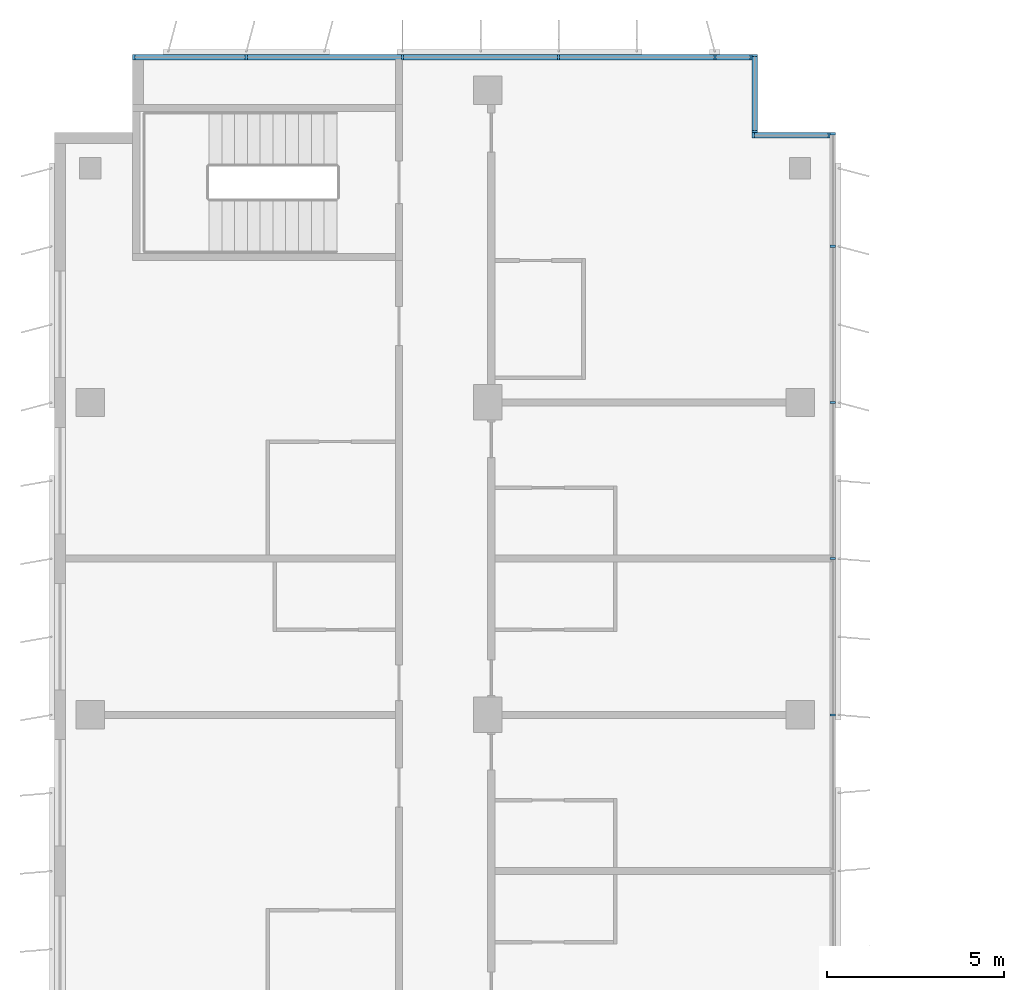
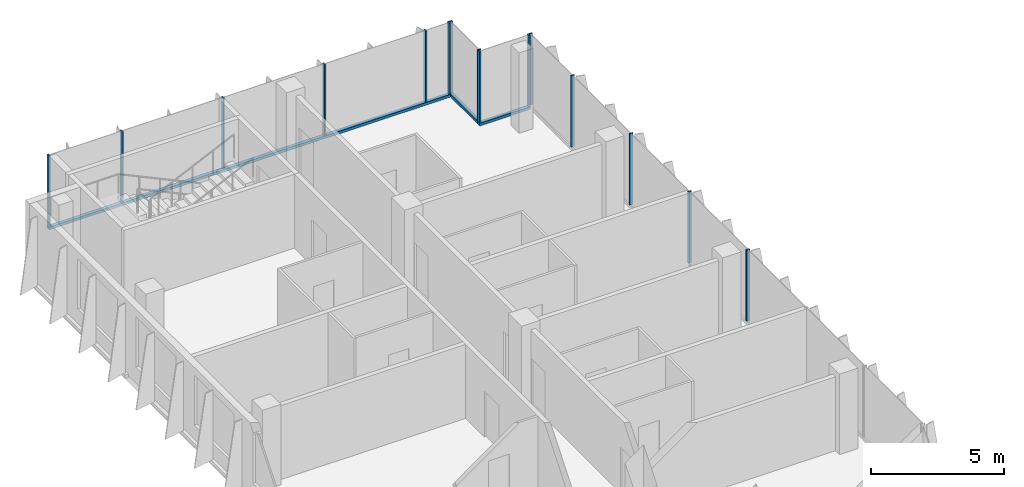
# One storey, part 6 of 17: 18 members, 4 elements without a shape of their own.
"""IFC4 building model written with IfcOpenShell, lengths in metres."""

from ifc_helpers import new_model, si_unit, direction, frame, origin, origin_2d, place, context, subcontext, project, spatial, rectangle, extrude, source, transform, mapped, material, material_profile, profile_set, type_object, element, aggregate, save


model = new_model("IFC4")

# Units and contexts
model_context = context("Model", 3, precision=1e-05, world=origin(), true_north=direction((0.0, 1.0)))
body_context = subcontext(model_context, "Body", "Model", "MODEL_VIEW")
ifc_project = project(units=[si_unit("LENGTHUNIT", "METRE"), si_unit("AREAUNIT", "SQUARE_METRE"), si_unit("VOLUMEUNIT", "CUBIC_METRE"), si_unit("PLANEANGLEUNIT", "RADIAN"), si_unit("MASSUNIT", "GRAM", prefix="KILO")], contexts=[model_context])

# Site, building, storey
site_placement = place(None, origin())
site = spatial("IfcSite", under=ifc_project, at=site_placement, CompositionType="ELEMENT")
building_placement = place(site_placement, origin())
building = spatial("IfcBuilding", under=site, at=building_placement, Name="Kemantara Hotel Tower", CompositionType="ELEMENT")
storey_placement = place(building_placement, frame((0.0, 0.0, 226.5)))
storey = spatial("IfcBuildingStorey", under=building, at=storey_placement, Name="L56", CompositionType="ELEMENT", Elevation=226.5)

# Curtain wall, member
ifc_material_1 = material(Name="Low-E tinted double insulated glass 36 mm", Category="glass")
curtain_wall_type = type_object("IfcCurtainWallType", Name="TOWER CURTAIN WALL, FRONT FACES", PredefinedType="USERDEFINED", material=ifc_material_1)
curtain_wall_1_placement = place(storey_placement, origin())
curtain_wall_1 = element("IfcCurtainWall", 1, at=curtain_wall_1_placement, inside=storey, type_object=curtain_wall_type, Name="CW4 L56 T4-R02-1", ObjectType="TOWER CURTAIN WALL, FRONT FACES", PredefinedType="USERDEFINED")
ifc_material_2 = material(Name="Aluminium 6063-T6 bronze anodised", Category="aluminium")
ifc_material_profile_1 = material_profile(ifc_material_2, rectangle(XDim=0.14990234375, YDim=0.1201171875, at=origin_2d()), Name="TOWER CURTAIN WALL, FRONT FACES TRANSOM")
ifc_profile_set_1 = profile_set([ifc_material_profile_1], Name="Aluminium 6063-T6 bronze anodised")
member_type_1 = type_object("IfcMemberType", Name="TOWER CURTAIN WALL, FRONT FACES TRANSOM", PredefinedType="USERDEFINED", material=ifc_profile_set_1)
member_1_placement = place(storey_placement, frame((19.64990234375, 63.52490234375, 0.06005859375), z_axis=(-1.0, 0.0, 0.0), x_axis=(0.0, -1.0, 0.0)))
member_1 = element("IfcMember", 2, at=member_1_placement, type_object=member_type_1, Name="CW4 sill transom T4-R02-1", ObjectType="TRANSOM", PredefinedType="USERDEFINED", context=body_context, shape_type="SweptSolid", body=[
    extrude(rectangle(XDim=0.14990234375, YDim=0.1201171875, at=origin_2d()), origin(), (0.0, 0.0, 1.0), 17.449951171875),
])

curtain_wall_2_placement = place(storey_placement, origin())
curtain_wall_2 = element("IfcCurtainWall", 3, at=curtain_wall_2_placement, inside=storey, type_object=curtain_wall_type, Name="CW4 L56 T4-R00-1", ObjectType="TOWER CURTAIN WALL, FRONT FACES", PredefinedType="USERDEFINED")
member_2_placement = place(storey_placement, frame((21.85009765625, 61.324951171875, 0.06005859375), z_axis=(-1.0, 0.0, 0.0), x_axis=(0.0, -1.0, 0.0)))
member_2 = element("IfcMember", 4, at=member_2_placement, type_object=member_type_1, Name="CW4 sill transom T4-R00-1", ObjectType="TRANSOM", PredefinedType="USERDEFINED", context=body_context, shape_type="SweptSolid", body=[
    extrude(rectangle(XDim=0.14990234375, YDim=0.1201171875, at=origin_2d()), origin(), (0.0, 0.0, 1.0), 2.2001953125),
])

curtain_wall_3_placement = place(storey_placement, origin())
curtain_wall_3 = element("IfcCurtainWall", 5, at=curtain_wall_3_placement, inside=storey, type_object=curtain_wall_type, Name="CW4 L56 T4-R01-1", ObjectType="TOWER CURTAIN WALL, FRONT FACES", PredefinedType="USERDEFINED")
member_3_placement = place(storey_placement, frame((19.72509765625, 61.39990234375, 0.06005859375), z_axis=(0.0, 1.0, 0.0), x_axis=(-1.0, 0.0, 0.0)))
member_3 = element("IfcMember", 6, at=member_3_placement, type_object=member_type_1, Name="CW4 sill transom T4-R01-1", ObjectType="TRANSOM", PredefinedType="USERDEFINED", context=body_context, shape_type="SweptSolid", body=[
    extrude(rectangle(XDim=0.14990234375, YDim=0.1201171875, at=origin_2d()), origin(), (0.0, 0.0, 1.0), 2.2001953125),
])

# Member
ifc_material_profile_2 = material_profile(ifc_material_2, rectangle(XDim=0.14990234375, YDim=0.06005859375, at=origin_2d()), Name="TOWER CURTAIN WALL, FRONT FACES MULLION")
ifc_profile_set_2 = profile_set([ifc_material_profile_2], Name="Aluminium 6063-T6 bronze anodised")
member_type_2 = type_object("IfcMemberType", Name="TOWER CURTAIN WALL, FRONT FACES MULLION", PredefinedType="MULLION", material=ifc_profile_set_2)
shared_shape = source(origin(), body_context, "Body", "SweptSolid", [
    extrude(rectangle(XDim=0.14990234375, YDim=0.06005859375, at=origin_2d()), origin(), (0.0, 0.0, 1.0), 3.27978515625),
])
member_4_placement = place(storey_placement, frame((19.6201171875, 63.52490234375, 0.1201171875), z_axis=(0.0, 0.0, 1.0), x_axis=(0.0, -1.0, 0.0)))
member_4 = element("IfcMember", 7, at=member_4_placement, type_object=member_type_2, Name="CW4 mullion T4-R02-1.1", PredefinedType="MULLION", context=body_context, shape_type="MappedRepresentation", body=[
    mapped(shared_shape, transform((0.0, 0.0, 0.0))),
])

member_5_placement = place(storey_placement, frame((18.60009765625, 63.52490234375, 0.1201171875), z_axis=(0.0, 0.0, 1.0), x_axis=(0.0, -1.0, 0.0)))
member_5 = element("IfcMember", 8, at=member_5_placement, type_object=member_type_2, Name="CW4 mullion T4-R02-1.2", PredefinedType="MULLION", context=body_context, shape_type="MappedRepresentation", body=[
    mapped(shared_shape, transform((0.0, 0.0, 0.0))),
])

member_6_placement = place(storey_placement, frame((14.199951171875, 63.52490234375, 0.1201171875), z_axis=(0.0, 0.0, 1.0), x_axis=(0.0, -1.0, 0.0)))
member_6 = element("IfcMember", 9, at=member_6_placement, type_object=member_type_2, Name="CW4 mullion T4-R02-1.3", PredefinedType="MULLION", context=body_context, shape_type="MappedRepresentation", body=[
    mapped(shared_shape, transform((0.0, 0.0, 0.0))),
])

member_7_placement = place(storey_placement, frame((9.800048828125, 63.52490234375, 0.1201171875), z_axis=(0.0, 0.0, 1.0), x_axis=(0.0, -1.0, 0.0)))
member_7 = element("IfcMember", 10, at=member_7_placement, type_object=member_type_2, Name="CW4 mullion T4-R02-1.4", PredefinedType="MULLION", context=body_context, shape_type="MappedRepresentation", body=[
    mapped(shared_shape, transform((0.0, 0.0, 0.0))),
])

member_8_placement = place(storey_placement, frame((5.39990234375, 63.52490234375, 0.1201171875), z_axis=(0.0, 0.0, 1.0), x_axis=(0.0, -1.0, 0.0)))
member_8 = element("IfcMember", 11, at=member_8_placement, type_object=member_type_2, Name="CW4 mullion T4-R02-1.5", PredefinedType="MULLION", context=body_context, shape_type="MappedRepresentation", body=[
    mapped(shared_shape, transform((0.0, 0.0, 0.0))),
])

member_9_placement = place(storey_placement, frame((2.22998046875, 63.52490234375, 0.1201171875), z_axis=(0.0, 0.0, 1.0), x_axis=(0.0, -1.0, 0.0)))
member_9 = element("IfcMember", 12, at=member_9_placement, type_object=member_type_2, Name="CW4 mullion T4-R02-1.6", PredefinedType="MULLION", context=body_context, shape_type="MappedRepresentation", body=[
    mapped(shared_shape, transform((0.0, 0.0, 0.0))),
])

aggregate(curtain_wall_1, [member_1, member_4, member_5, member_6, member_7, member_8, member_9])

# Curtain wall, members
curtain_wall_4_placement = place(storey_placement, origin())
curtain_wall_4 = element("IfcCurtainWall", 13, at=curtain_wall_4_placement, inside=storey, type_object=curtain_wall_type, Name="CW4 L56 T4-R15-1", ObjectType="TOWER CURTAIN WALL, FRONT FACES", PredefinedType="USERDEFINED")
member_10_placement = place(storey_placement, frame((21.925048828125, 45.0, 0.1201171875), z_axis=(0.0, 0.0, 1.0), x_axis=(-1.0, 0.0, 0.0)))
member_10 = element("IfcMember", 14, at=member_10_placement, type_object=member_type_2, Name="CW4 mullion T4-R15-1.6", PredefinedType="MULLION", context=body_context, shape_type="MappedRepresentation", body=[
    mapped(shared_shape, transform((0.0, 0.0, 0.0))),
])
member_11_placement = place(storey_placement, frame((21.925048828125, 49.39990234375, 0.1201171875), z_axis=(0.0, 0.0, 1.0), x_axis=(-1.0, 0.0, 0.0)))
member_11 = element("IfcMember", 15, at=member_11_placement, type_object=member_type_2, Name="CW4 mullion T4-R15-1.7", PredefinedType="MULLION", context=body_context, shape_type="MappedRepresentation", body=[
    mapped(shared_shape, transform((0.0, 0.0, 0.0))),
])
member_12_placement = place(storey_placement, frame((21.925048828125, 53.800048828125, 0.1201171875), z_axis=(0.0, 0.0, 1.0), x_axis=(-1.0, 0.0, 0.0)))
member_12 = element("IfcMember", 16, at=member_12_placement, type_object=member_type_2, Name="CW4 mullion T4-R15-1.8", PredefinedType="MULLION", context=body_context, shape_type="MappedRepresentation", body=[
    mapped(shared_shape, transform((0.0, 0.0, 0.0))),
])
member_13_placement = place(storey_placement, frame((21.925048828125, 58.199951171875, 0.1201171875), z_axis=(0.0, 0.0, 1.0), x_axis=(-1.0, 0.0, 0.0)))
member_13 = element("IfcMember", 17, at=member_13_placement, type_object=member_type_2, Name="CW4 mullion T4-R15-1.9", PredefinedType="MULLION", context=body_context, shape_type="MappedRepresentation", body=[
    mapped(shared_shape, transform((0.0, 0.0, 0.0))),
])
member_14_placement = place(storey_placement, frame((21.925048828125, 61.3701171875, 0.1201171875), z_axis=(0.0, 0.0, 1.0), x_axis=(-1.0, 0.0, 0.0)))
member_14 = element("IfcMember", 18, at=member_14_placement, type_object=member_type_2, Name="CW4 mullion T4-R15-1.10", PredefinedType="MULLION", context=body_context, shape_type="MappedRepresentation", body=[
    mapped(shared_shape, transform((0.0, 0.0, 0.0))),
])
aggregate(curtain_wall_4, [member_10, member_11, member_12, member_13, member_14])

# Member
member_15_placement = place(storey_placement, frame((21.820068359375, 61.324951171875, 0.1201171875), z_axis=(0.0, 0.0, 1.0), x_axis=(0.0, -1.0, 0.0)))
member_15 = element("IfcMember", 19, at=member_15_placement, type_object=member_type_2, Name="CW4 mullion T4-R00-1.1", PredefinedType="MULLION", context=body_context, shape_type="MappedRepresentation", body=[
    mapped(shared_shape, transform((0.0, 0.0, 0.0))),
])

member_16_placement = place(storey_placement, frame((19.679931640625, 61.324951171875, 0.1201171875), z_axis=(0.0, 0.0, 1.0), x_axis=(0.0, -1.0, 0.0)))
member_16 = element("IfcMember", 20, at=member_16_placement, type_object=member_type_2, Name="CW4 mullion T4-R00-1.2", PredefinedType="MULLION", context=body_context, shape_type="MappedRepresentation", body=[
    mapped(shared_shape, transform((0.0, 0.0, 0.0))),
])

aggregate(curtain_wall_2, [member_2, member_15, member_16])

member_17_placement = place(storey_placement, frame((19.72509765625, 61.429931640625, 0.1201171875), z_axis=(0.0, 0.0, 1.0), x_axis=(-1.0, 0.0, 0.0)))
member_17 = element("IfcMember", 21, at=member_17_placement, type_object=member_type_2, Name="CW4 mullion T4-R01-1.1", PredefinedType="MULLION", context=body_context, shape_type="MappedRepresentation", body=[
    mapped(shared_shape, transform((0.0, 0.0, 0.0))),
])

member_18_placement = place(storey_placement, frame((19.72509765625, 63.570068359375, 0.1201171875), z_axis=(0.0, 0.0, 1.0), x_axis=(-1.0, 0.0, 0.0)))
member_18 = element("IfcMember", 22, at=member_18_placement, type_object=member_type_2, Name="CW4 mullion T4-R01-1.2", PredefinedType="MULLION", context=body_context, shape_type="MappedRepresentation", body=[
    mapped(shared_shape, transform((0.0, 0.0, 0.0))),
])

aggregate(curtain_wall_3, [member_3, member_17, member_18])

save(model, "model.ifc")
